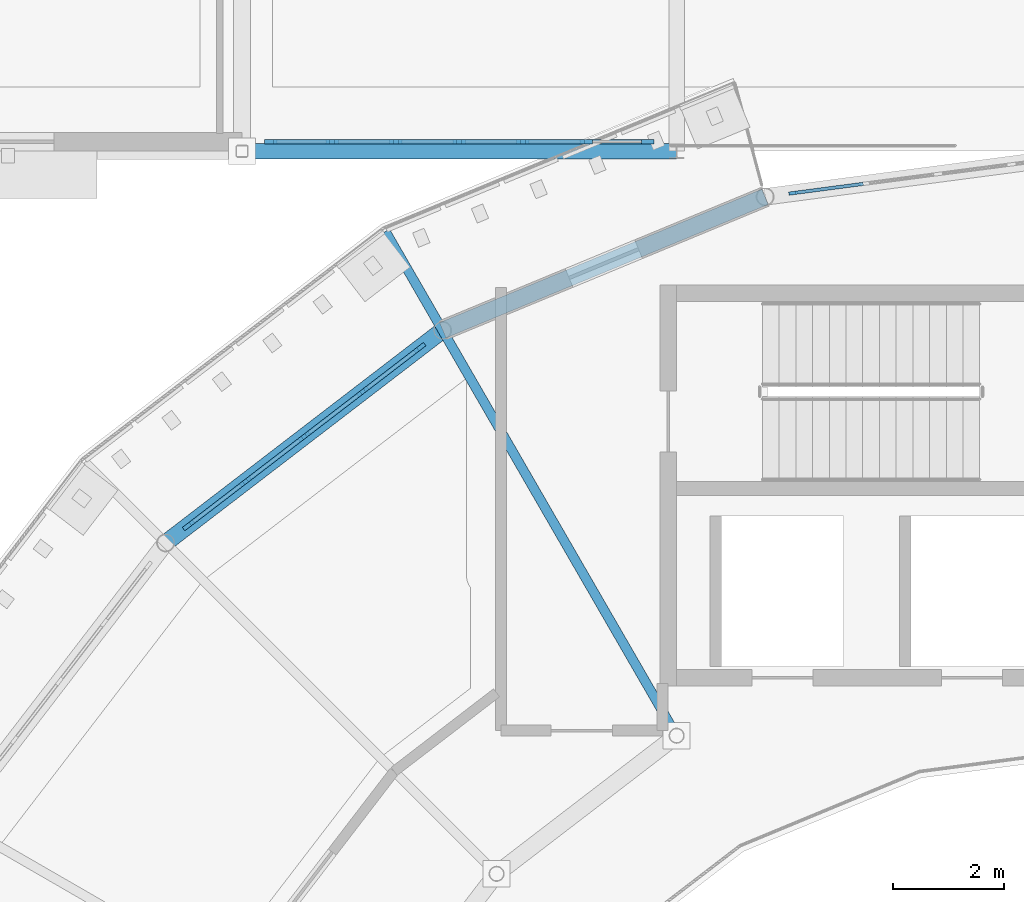
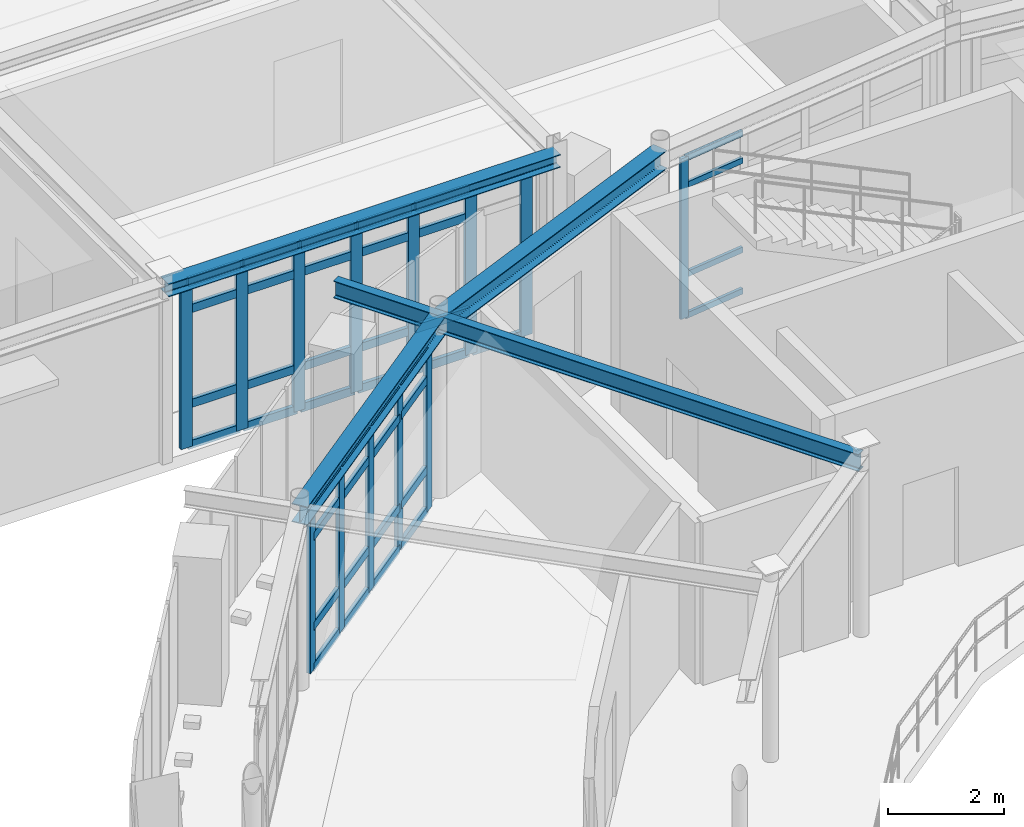
# One storey, part 33 of 70: 54 members, 4 beams, 3 elements without a shape of their own.
"""IFC4 building model written with IfcOpenShell, lengths in metres."""

from ifc_helpers import new_model, si_unit, derived_unit, direction, frame, origin, origin_2d, place, context, subcontext, project, spatial, rectangle, i_section, extrude, material, layer, layer_set, material_profile, profile_set, type_object, element, aggregate, save


model = new_model("IFC4")

# Units and contexts
model_context = context("Model", 3, precision=1e-05, world=origin(), true_north=direction((0.0, 1.0)))
body_context = subcontext(model_context, "Body", "Model", "MODEL_VIEW")
ifc_project = project(units=[si_unit("LENGTHUNIT", "METRE"), si_unit("AREAUNIT", "SQUARE_METRE"), si_unit("VOLUMEUNIT", "CUBIC_METRE"), si_unit("PLANEANGLEUNIT", "RADIAN"), si_unit("MASSUNIT", "GRAM", prefix="KILO"), derived_unit("THERMALTRANSMITTANCEUNIT", [(si_unit("POWERUNIT", "WATT"), 1), (si_unit("AREAUNIT", "SQUARE_METRE"), -1), (si_unit("THERMODYNAMICTEMPERATUREUNIT", "KELVIN"), -1)])], contexts=[model_context])

# Site, building, storey
site_placement = place(None, origin())
site = spatial("IfcSite", under=ifc_project, at=site_placement, CompositionType="ELEMENT")
building_placement = place(site_placement, origin())
building = spatial("IfcBuilding", under=site, at=building_placement, Name="Yasenodar Specialist Clinic", CompositionType="ELEMENT")
storey_placement = place(building_placement, frame((0.0, 0.0, 13.199951171875)))
storey = spatial("IfcBuildingStorey", under=building, at=storey_placement, Name="L03", CompositionType="ELEMENT", Elevation=13.199951171875)

# Beams
ifc_material_1 = material(Name="Steel S355", Category="steel")
ifc_material_profile_1 = material_profile(ifc_material_1, i_section(OverallWidth=0.280029296875, OverallDepth=0.27001953125, WebThickness=0.008056640625, FlangeThickness=0.012939453125, FilletRadius=0.02392578125, at=origin_2d()), Name="HEA 280")
ifc_profile_set_1 = profile_set([ifc_material_profile_1], Name="Steel S355")
beam_type_1 = type_object("IfcBeamType", Name="BM-HEA280", PredefinedType="BEAM", material=ifc_profile_set_1)
beam_1_placement = place(storey_placement, frame((65.39990234375, 82.800048828125, 3.655029296875), z_axis=(1.0, 0.0, 0.0), x_axis=(0.0, 1.0, 0.0)))
element("IfcBeam", 1, at=beam_1_placement, inside=storey, type_object=beam_type_1, Name="L03 Primary E-W Girder", PredefinedType="BEAM", context=body_context, shape_type="SweptSolid", body=[
    extrude(i_section(OverallWidth=0.280029296875, OverallDepth=0.27001953125, WebThickness=0.008056640625, FlangeThickness=0.012939453125, FilletRadius=0.02392578125, at=origin_2d()), origin(), (0.0, 0.0, 1.0), 7.800048828125),
])
ifc_material_profile_2 = material_profile(ifc_material_1, i_section(OverallWidth=0.300048828125, OverallDepth=0.389892578125, WebThickness=0.010986328125, FlangeThickness=0.01904296875, FilletRadius=0.027099609375, at=origin_2d()), Name="HEA 400")
ifc_profile_set_2 = profile_set([ifc_material_profile_2], Name="Steel S355")
beam_type_2 = type_object("IfcBeamType", Name="BM-HEA400", PredefinedType="BEAM", material=ifc_profile_set_2)
beam_2_placement = place(storey_placement, frame((74.788330078125, 81.982177734375, 3.60498046875), z_axis=(-0.9238876519, -0.382663829839, 0.0), x_axis=(0.382663829839, -0.9238876519, 0.0)))
element("IfcBeam", 2, at=beam_2_placement, inside=storey, type_object=beam_type_2, Name="L03 Drum V1 Perimeter Ring Beam", PredefinedType="BEAM", context=body_context, shape_type="SweptSolid", body=[
    extrude(i_section(OverallWidth=0.300048828125, OverallDepth=0.389892578125, WebThickness=0.010986328125, FlangeThickness=0.01904296875, FilletRadius=0.027099609375, at=origin_2d()), origin(), (0.0, 0.0, 1.0), 6.26513671875),
])
beam_3_placement = place(storey_placement, frame((69.0, 79.584716796875, 3.60498046875), z_axis=(-0.793349152542, -0.608766886551, 0.0), x_axis=(0.608766886551, -0.793349152542, 0.0)))
element("IfcBeam", 3, at=beam_3_placement, inside=storey, type_object=beam_type_2, Name="L03 Drum V1 Perimeter Ring Beam", PredefinedType="BEAM", context=body_context, shape_type="SweptSolid", body=[
    extrude(i_section(OverallWidth=0.300048828125, OverallDepth=0.389892578125, WebThickness=0.010986328125, FlangeThickness=0.01904296875, FilletRadius=0.027099609375, at=origin_2d()), origin(), (0.0, 0.0, 1.0), 6.265380859375),
])
ifc_material_profile_3 = material_profile(ifc_material_1, i_section(OverallWidth=0.169921875, OverallDepth=0.360107421875, WebThickness=0.008056640625, FlangeThickness=0.0126953125, FilletRadius=0.01806640625, at=origin_2d()), Name="IPE 360")
ifc_profile_set_3 = profile_set([ifc_material_profile_3], Name="Steel S355")
beam_type_3 = type_object("IfcBeamType", Name="BM-IPE360", PredefinedType="BEAM", material=ifc_profile_set_3)
beam_4_placement = place(storey_placement, frame((73.199951171875, 72.31005859375, 3.6201171875), z_axis=(-0.499986032603, 0.866033467715, 0.0), x_axis=(-0.866033467715, -0.499986032603, 0.0)))
element("IfcBeam", 4, at=beam_4_placement, inside=storey, type_object=beam_type_3, Name="L03 Drum V1 Radial Back-Spanned Cantilever Beam", PredefinedType="BEAM", context=body_context, shape_type="SweptSolid", body=[
    extrude(i_section(OverallWidth=0.169921875, OverallDepth=0.360107421875, WebThickness=0.008056640625, FlangeThickness=0.0126953125, FilletRadius=0.01806640625, at=origin_2d()), origin(), (0.0, 0.0, 1.0), 10.449951171875),
])

# Curtain wall, member
ifc_material_2 = material(Name="Bronze Anodized Aluminium and Triple Low-E Glass", Category="aluminium")
ifc_layer_1 = layer(ifc_material_2, 0.1669921875)
ifc_layer_set_1 = layer_set([ifc_layer_1], Name="Bronze Anodized Aluminium and Triple Low-E Glass")
curtain_wall_type_1 = type_object("IfcCurtainWallType", Name="CW-SYS-01", PredefinedType="USERDEFINED", material=ifc_layer_set_1)
curtain_wall_1_placement = place(storey_placement, origin())
curtain_wall_1 = element("IfcCurtainWall", 5, at=curtain_wall_1_placement, inside=storey, type_object=curtain_wall_type_1, Name="L03 Unitised Curtain Wall 044", ObjectType="UNITISED CURTAIN WALL", PredefinedType="USERDEFINED")
ifc_material_3 = material(Name="Bronze Anodized Aluminium", Category="aluminium")
ifc_material_profile_4 = material_profile(ifc_material_3, rectangle(XDim=0.06005859375, YDim=0.159912109375, at=origin_2d()), Name="CW-MULL 60x160")
ifc_profile_set_4 = profile_set([ifc_material_profile_4], Name="Bronze Anodized Aluminium")
member_type_1 = type_object("IfcMemberType", Name="CW-MULL-160", PredefinedType="MULLION", material=ifc_profile_set_4)
member_1_placement = place(storey_placement, frame((75.2939453125, 82.048828125, 0.0), z_axis=(0.0, 0.0, 1.0), x_axis=(-0.13051156024, 0.991446787601, 0.0)))
member_1 = element("IfcMember", 6, at=member_1_placement, type_object=member_type_1, Name="CW-01 mullion 1", PredefinedType="MULLION", context=body_context, shape_type="SweptSolid", body=[
    extrude(rectangle(XDim=0.06005859375, YDim=0.159912109375, at=origin_2d()), origin(), (0.0, 0.0, 1.0), 3.3779296875),
])

# Curtain wall, members
curtain_wall_2_placement = place(storey_placement, origin())
curtain_wall_2 = element("IfcCurtainWall", 7, at=curtain_wall_2_placement, inside=storey, type_object=curtain_wall_type_1, Name="L03 Unitised Curtain Wall 045", ObjectType="UNITISED CURTAIN WALL", PredefinedType="USERDEFINED")
ifc_material_profile_5 = material_profile(ifc_material_3, rectangle(XDim=0.074951171875, YDim=0.22509765625, at=origin_2d()), Name="CW-MULL 75x225")
ifc_profile_set_5 = profile_set([ifc_material_profile_5], Name="Bronze Anodized Aluminium")
member_type_2 = type_object("IfcMemberType", Name="CW-MULL-225", PredefinedType="MULLION", material=ifc_profile_set_5)
member_2_placement = place(storey_placement, frame((64.43994140625, 76.085693359375, 0.0), z_axis=(0.0, 0.0, 1.0), x_axis=(-0.608752021844, 0.793360558574, 0.0)))
member_2 = element("IfcMember", 8, at=member_2_placement, type_object=member_type_2, Name="CW-01 mullion 1", PredefinedType="MULLION", context=body_context, shape_type="SweptSolid", body=[
    extrude(rectangle(XDim=0.074951171875, YDim=0.22509765625, at=origin_2d()), origin(), (0.0, 0.0, 1.0), 3.387939453125),
])
member_3_placement = place(storey_placement, frame((65.46240234375, 76.8701171875, 0.0), z_axis=(0.0, 0.0, 1.0), x_axis=(-0.608752021844, 0.793360558574, 0.0)))
member_3 = element("IfcMember", 9, at=member_3_placement, type_object=member_type_2, Name="CW-01 mullion 2", PredefinedType="MULLION", context=body_context, shape_type="SweptSolid", body=[
    extrude(rectangle(XDim=0.074951171875, YDim=0.22509765625, at=origin_2d()), origin(), (0.0, 0.0, 1.0), 3.387939453125),
])
member_4_placement = place(storey_placement, frame((66.5146484375, 77.677490234375, 0.0), z_axis=(0.0, 0.0, 1.0), x_axis=(-0.608752021844, 0.793360558574, 0.0)))
member_4 = element("IfcMember", 10, at=member_4_placement, type_object=member_type_2, Name="CW-01 mullion 3", PredefinedType="MULLION", context=body_context, shape_type="SweptSolid", body=[
    extrude(rectangle(XDim=0.074951171875, YDim=0.22509765625, at=origin_2d()), origin(), (0.0, 0.0, 1.0), 3.387939453125),
])
member_5_placement = place(storey_placement, frame((67.56689453125, 78.485107421875, 0.0), z_axis=(0.0, 0.0, 1.0), x_axis=(-0.608752021844, 0.793360558574, 0.0)))
member_5 = element("IfcMember", 11, at=member_5_placement, type_object=member_type_2, Name="CW-01 mullion 4", PredefinedType="MULLION", context=body_context, shape_type="SweptSolid", body=[
    extrude(rectangle(XDim=0.074951171875, YDim=0.22509765625, at=origin_2d()), origin(), (0.0, 0.0, 1.0), 3.387939453125),
])
member_6_placement = place(storey_placement, frame((68.58935546875, 79.26953125, 0.0), z_axis=(0.0, 0.0, 1.0), x_axis=(-0.608752021844, 0.793360558574, 0.0)))
member_6 = element("IfcMember", 12, at=member_6_placement, type_object=member_type_2, Name="CW-01 mullion 5", PredefinedType="MULLION", context=body_context, shape_type="SweptSolid", body=[
    extrude(rectangle(XDim=0.074951171875, YDim=0.22509765625, at=origin_2d()), origin(), (0.0, 0.0, 1.0), 3.387939453125),
])

ifc_layer_2 = layer(ifc_material_2, 0.215087890625)
ifc_layer_set_2 = layer_set([ifc_layer_2], Name="Bronze Anodized Aluminium and Triple Low-E Glass")
curtain_wall_type_2 = type_object("IfcCurtainWallType", Name="CW-SYS-05", PredefinedType="USERDEFINED", material=ifc_layer_set_2)
curtain_wall_3_placement = place(storey_placement, origin())
curtain_wall_3 = element("IfcCurtainWall", 13, at=curtain_wall_3_placement, inside=storey, type_object=curtain_wall_type_2, Name="L03 Unitised Curtain Wall 160", ObjectType="UNITISED CURTAIN WALL", PredefinedType="USERDEFINED")
member_7_placement = place(storey_placement, frame((72.6826171875, 82.969970703125, 0.0), z_axis=(0.0, 0.0, 1.0), x_axis=(0.0, -1.0, 0.0)))
member_7 = element("IfcMember", 14, at=member_7_placement, type_object=member_type_2, Name="CW-05 mullion 1", PredefinedType="MULLION", context=body_context, shape_type="SweptSolid", body=[
    extrude(rectangle(XDim=0.074951171875, YDim=0.22509765625, at=origin_2d()), origin(), (0.0, 0.0, 1.0), 3.498046875),
])
member_8_placement = place(storey_placement, frame((71.580078125, 82.969970703125, 0.0), z_axis=(0.0, 0.0, 1.0), x_axis=(0.0, -1.0, 0.0)))
member_8 = element("IfcMember", 15, at=member_8_placement, type_object=member_type_2, Name="CW-05 mullion 2", PredefinedType="MULLION", context=body_context, shape_type="SweptSolid", body=[
    extrude(rectangle(XDim=0.074951171875, YDim=0.22509765625, at=origin_2d()), origin(), (0.0, 0.0, 1.0), 3.498046875),
])
member_9_placement = place(storey_placement, frame((70.43994140625, 82.969970703125, 0.0), z_axis=(0.0, 0.0, 1.0), x_axis=(0.0, -1.0, 0.0)))
member_9 = element("IfcMember", 16, at=member_9_placement, type_object=member_type_2, Name="CW-05 mullion 3", PredefinedType="MULLION", context=body_context, shape_type="SweptSolid", body=[
    extrude(rectangle(XDim=0.074951171875, YDim=0.22509765625, at=origin_2d()), origin(), (0.0, 0.0, 1.0), 3.498046875),
])
member_10_placement = place(storey_placement, frame((69.300048828125, 82.969970703125, 0.0), z_axis=(0.0, 0.0, 1.0), x_axis=(0.0, -1.0, 0.0)))
member_10 = element("IfcMember", 17, at=member_10_placement, type_object=member_type_2, Name="CW-05 mullion 4", PredefinedType="MULLION", context=body_context, shape_type="SweptSolid", body=[
    extrude(rectangle(XDim=0.074951171875, YDim=0.22509765625, at=origin_2d()), origin(), (0.0, 0.0, 1.0), 3.498046875),
])
member_11_placement = place(storey_placement, frame((68.159912109375, 82.969970703125, 0.0), z_axis=(0.0, 0.0, 1.0), x_axis=(0.0, -1.0, 0.0)))
member_11 = element("IfcMember", 18, at=member_11_placement, type_object=member_type_2, Name="CW-05 mullion 5", PredefinedType="MULLION", context=body_context, shape_type="SweptSolid", body=[
    extrude(rectangle(XDim=0.074951171875, YDim=0.22509765625, at=origin_2d()), origin(), (0.0, 0.0, 1.0), 3.498046875),
])
member_12_placement = place(storey_placement, frame((67.02001953125, 82.969970703125, 0.0), z_axis=(0.0, 0.0, 1.0), x_axis=(0.0, -1.0, 0.0)))
member_12 = element("IfcMember", 19, at=member_12_placement, type_object=member_type_2, Name="CW-05 mullion 6", PredefinedType="MULLION", context=body_context, shape_type="SweptSolid", body=[
    extrude(rectangle(XDim=0.074951171875, YDim=0.22509765625, at=origin_2d()), origin(), (0.0, 0.0, 1.0), 3.498046875),
])
member_13_placement = place(storey_placement, frame((65.91748046875, 82.969970703125, 0.0), z_axis=(0.0, 0.0, 1.0), x_axis=(0.0, -1.0, 0.0)))
member_13 = element("IfcMember", 20, at=member_13_placement, type_object=member_type_2, Name="CW-05 mullion 7", PredefinedType="MULLION", context=body_context, shape_type="SweptSolid", body=[
    extrude(rectangle(XDim=0.074951171875, YDim=0.22509765625, at=origin_2d()), origin(), (0.0, 0.0, 1.0), 3.498046875),
])

# Member
ifc_material_profile_6 = material_profile(ifc_material_3, rectangle(XDim=0.06005859375, YDim=0.1201171875, at=origin_2d()), Name="CW-TRAN 60x120")
ifc_profile_set_6 = profile_set([ifc_material_profile_6], Name="Bronze Anodized Aluminium")
member_type_3 = type_object("IfcMemberType", Name="CW-TRAN-120", PredefinedType="USERDEFINED", material=ifc_profile_set_6)
member_14_placement = place(storey_placement, frame((75.32373046875, 82.052734375, 0.030029296875), z_axis=(0.991442191305, 0.130546471803, 0.0), x_axis=(-0.130546471803, 0.991442191305, 0.0)))
member_14 = element("IfcMember", 21, at=member_14_placement, type_object=member_type_3, Name="CW-01 transom 1.1", ObjectType="TRANSOM", PredefinedType="USERDEFINED", context=body_context, shape_type="SweptSolid", body=[
    extrude(rectangle(XDim=0.06005859375, YDim=0.1201171875, at=origin_2d()), origin(), (0.0, 0.0, 1.0), 1.236083984375),
])

member_15_placement = place(storey_placement, frame((75.32373046875, 82.052734375, 0.900146484375), z_axis=(0.991442191305, 0.130546471803, 0.0), x_axis=(-0.130546471803, 0.991442191305, 0.0)))
member_15 = element("IfcMember", 22, at=member_15_placement, type_object=member_type_3, Name="CW-01 transom 1.2", ObjectType="TRANSOM", PredefinedType="USERDEFINED", context=body_context, shape_type="SweptSolid", body=[
    extrude(rectangle(XDim=0.06005859375, YDim=0.1201171875, at=origin_2d()), origin(), (0.0, 0.0, 1.0), 1.236083984375),
])

member_16_placement = place(storey_placement, frame((75.32373046875, 82.052734375, 2.778076171875), z_axis=(0.991442191305, 0.130546471803, 0.0), x_axis=(-0.130546471803, 0.991442191305, 0.0)))
member_16 = element("IfcMember", 23, at=member_16_placement, type_object=member_type_3, Name="CW-01 transom 1.3", ObjectType="TRANSOM", PredefinedType="USERDEFINED", context=body_context, shape_type="SweptSolid", body=[
    extrude(rectangle(XDim=0.06005859375, YDim=0.1201171875, at=origin_2d()), origin(), (0.0, 0.0, 1.0), 1.236083984375),
])

member_17_placement = place(storey_placement, frame((75.32373046875, 82.052734375, 3.34814453125), z_axis=(0.991442191305, 0.130546471803, 0.0), x_axis=(-0.130546471803, 0.991442191305, 0.0)))
member_17 = element("IfcMember", 24, at=member_17_placement, type_object=member_type_3, Name="CW-01 transom 1.4", ObjectType="TRANSOM", PredefinedType="USERDEFINED", context=body_context, shape_type="SweptSolid", body=[
    extrude(rectangle(XDim=0.06005859375, YDim=0.1201171875, at=origin_2d()), origin(), (0.0, 0.0, 1.0), 1.236083984375),
])

aggregate(curtain_wall_1, [member_1, member_14, member_15, member_16, member_17])

ifc_material_profile_7 = material_profile(ifc_material_3, rectangle(XDim=0.074951171875, YDim=0.175048828125, at=origin_2d()), Name="CW-TRAN 75x175")
ifc_profile_set_7 = profile_set([ifc_material_profile_7], Name="Bronze Anodized Aluminium")
member_type_4 = type_object("IfcMemberType", Name="CW-TRAN-175", PredefinedType="USERDEFINED", material=ifc_profile_set_7)
member_18_placement = place(storey_placement, frame((64.4697265625, 76.1083984375, 0.03759765625), z_axis=(0.793288992755, 0.608845279176, 0.0), x_axis=(-0.608845279176, 0.793288992755, 0.0)))
member_18 = element("IfcMember", 25, at=member_18_placement, type_object=member_type_4, Name="CW-01 transom 1.1", ObjectType="TRANSOM", PredefinedType="USERDEFINED", context=body_context, shape_type="SweptSolid", body=[
    extrude(rectangle(XDim=0.074951171875, YDim=0.175048828125, at=origin_2d()), origin(), (0.0, 0.0, 1.0), 1.2138671875),
])

member_19_placement = place(storey_placement, frame((64.4697265625, 76.1083984375, 0.900146484375), z_axis=(0.793288992755, 0.608845279176, 0.0), x_axis=(-0.608845279176, 0.793288992755, 0.0)))
member_19 = element("IfcMember", 26, at=member_19_placement, type_object=member_type_4, Name="CW-01 transom 1.2", ObjectType="TRANSOM", PredefinedType="USERDEFINED", context=body_context, shape_type="SweptSolid", body=[
    extrude(rectangle(XDim=0.074951171875, YDim=0.175048828125, at=origin_2d()), origin(), (0.0, 0.0, 1.0), 1.2138671875),
])

member_20_placement = place(storey_placement, frame((64.4697265625, 76.1083984375, 2.7880859375), z_axis=(0.793288992755, 0.608845279176, 0.0), x_axis=(-0.608845279176, 0.793288992755, 0.0)))
member_20 = element("IfcMember", 27, at=member_20_placement, type_object=member_type_4, Name="CW-01 transom 1.3", ObjectType="TRANSOM", PredefinedType="USERDEFINED", context=body_context, shape_type="SweptSolid", body=[
    extrude(rectangle(XDim=0.074951171875, YDim=0.175048828125, at=origin_2d()), origin(), (0.0, 0.0, 1.0), 1.2138671875),
])

member_21_placement = place(storey_placement, frame((64.4697265625, 76.1083984375, 3.3505859375), z_axis=(0.793288992755, 0.608845279176, 0.0), x_axis=(-0.608845279176, 0.793288992755, 0.0)))
member_21 = element("IfcMember", 28, at=member_21_placement, type_object=member_type_4, Name="CW-01 transom 1.4", ObjectType="TRANSOM", PredefinedType="USERDEFINED", context=body_context, shape_type="SweptSolid", body=[
    extrude(rectangle(XDim=0.074951171875, YDim=0.175048828125, at=origin_2d()), origin(), (0.0, 0.0, 1.0), 1.2138671875),
])

member_22_placement = place(storey_placement, frame((65.4921875, 76.89306640625, 0.03759765625), z_axis=(0.79334877301, 0.608767381159, 0.0), x_axis=(-0.608767381159, 0.79334877301, 0.0)))
member_22 = element("IfcMember", 29, at=member_22_placement, type_object=member_type_4, Name="CW-01 transom 2.1", ObjectType="TRANSOM", PredefinedType="USERDEFINED", context=body_context, shape_type="SweptSolid", body=[
    extrude(rectangle(XDim=0.074951171875, YDim=0.175048828125, at=origin_2d()), origin(), (0.0, 0.0, 1.0), 1.251220703125),
])

member_23_placement = place(storey_placement, frame((65.4921875, 76.89306640625, 0.900146484375), z_axis=(0.79334877301, 0.608767381159, 0.0), x_axis=(-0.608767381159, 0.79334877301, 0.0)))
member_23 = element("IfcMember", 30, at=member_23_placement, type_object=member_type_4, Name="CW-01 transom 2.2", ObjectType="TRANSOM", PredefinedType="USERDEFINED", context=body_context, shape_type="SweptSolid", body=[
    extrude(rectangle(XDim=0.074951171875, YDim=0.175048828125, at=origin_2d()), origin(), (0.0, 0.0, 1.0), 1.251220703125),
])

member_24_placement = place(storey_placement, frame((65.4921875, 76.89306640625, 2.7880859375), z_axis=(0.79334877301, 0.608767381159, 0.0), x_axis=(-0.608767381159, 0.79334877301, 0.0)))
member_24 = element("IfcMember", 31, at=member_24_placement, type_object=member_type_4, Name="CW-01 transom 2.3", ObjectType="TRANSOM", PredefinedType="USERDEFINED", context=body_context, shape_type="SweptSolid", body=[
    extrude(rectangle(XDim=0.074951171875, YDim=0.175048828125, at=origin_2d()), origin(), (0.0, 0.0, 1.0), 1.251220703125),
])

member_25_placement = place(storey_placement, frame((65.4921875, 76.89306640625, 3.3505859375), z_axis=(0.79334877301, 0.608767381159, 0.0), x_axis=(-0.608767381159, 0.79334877301, 0.0)))
member_25 = element("IfcMember", 32, at=member_25_placement, type_object=member_type_4, Name="CW-01 transom 2.4", ObjectType="TRANSOM", PredefinedType="USERDEFINED", context=body_context, shape_type="SweptSolid", body=[
    extrude(rectangle(XDim=0.074951171875, YDim=0.175048828125, at=origin_2d()), origin(), (0.0, 0.0, 1.0), 1.251220703125),
])

member_26_placement = place(storey_placement, frame((66.54443359375, 77.700439453125, 0.03759765625), z_axis=(0.79334877301, 0.608767381159, 0.0), x_axis=(-0.608767381159, 0.79334877301, 0.0)))
member_26 = element("IfcMember", 33, at=member_26_placement, type_object=member_type_4, Name="CW-01 transom 3.1", ObjectType="TRANSOM", PredefinedType="USERDEFINED", context=body_context, shape_type="SweptSolid", body=[
    extrude(rectangle(XDim=0.074951171875, YDim=0.175048828125, at=origin_2d()), origin(), (0.0, 0.0, 1.0), 1.251220703125),
])

member_27_placement = place(storey_placement, frame((66.54443359375, 77.700439453125, 0.900146484375), z_axis=(0.79334877301, 0.608767381159, 0.0), x_axis=(-0.608767381159, 0.79334877301, 0.0)))
member_27 = element("IfcMember", 34, at=member_27_placement, type_object=member_type_4, Name="CW-01 transom 3.2", ObjectType="TRANSOM", PredefinedType="USERDEFINED", context=body_context, shape_type="SweptSolid", body=[
    extrude(rectangle(XDim=0.074951171875, YDim=0.175048828125, at=origin_2d()), origin(), (0.0, 0.0, 1.0), 1.251220703125),
])

member_28_placement = place(storey_placement, frame((66.54443359375, 77.700439453125, 2.7880859375), z_axis=(0.79334877301, 0.608767381159, 0.0), x_axis=(-0.608767381159, 0.79334877301, 0.0)))
member_28 = element("IfcMember", 35, at=member_28_placement, type_object=member_type_4, Name="CW-01 transom 3.3", ObjectType="TRANSOM", PredefinedType="USERDEFINED", context=body_context, shape_type="SweptSolid", body=[
    extrude(rectangle(XDim=0.074951171875, YDim=0.175048828125, at=origin_2d()), origin(), (0.0, 0.0, 1.0), 1.251220703125),
])

member_29_placement = place(storey_placement, frame((66.54443359375, 77.700439453125, 3.3505859375), z_axis=(0.79334877301, 0.608767381159, 0.0), x_axis=(-0.608767381159, 0.79334877301, 0.0)))
member_29 = element("IfcMember", 36, at=member_29_placement, type_object=member_type_4, Name="CW-01 transom 3.4", ObjectType="TRANSOM", PredefinedType="USERDEFINED", context=body_context, shape_type="SweptSolid", body=[
    extrude(rectangle(XDim=0.074951171875, YDim=0.175048828125, at=origin_2d()), origin(), (0.0, 0.0, 1.0), 1.251220703125),
])

member_30_placement = place(storey_placement, frame((67.5966796875, 78.5078125, 0.03759765625), z_axis=(0.793363535343, 0.608748142328, 0.0), x_axis=(-0.608748142328, 0.793363535343, 0.0)))
member_30 = element("IfcMember", 37, at=member_30_placement, type_object=member_type_4, Name="CW-01 transom 4.1", ObjectType="TRANSOM", PredefinedType="USERDEFINED", context=body_context, shape_type="SweptSolid", body=[
    extrude(rectangle(XDim=0.074951171875, YDim=0.175048828125, at=origin_2d()), origin(), (0.0, 0.0, 1.0), 1.2138671875),
])

member_31_placement = place(storey_placement, frame((67.5966796875, 78.5078125, 0.900146484375), z_axis=(0.793363535343, 0.608748142328, 0.0), x_axis=(-0.608748142328, 0.793363535343, 0.0)))
member_31 = element("IfcMember", 38, at=member_31_placement, type_object=member_type_4, Name="CW-01 transom 4.2", ObjectType="TRANSOM", PredefinedType="USERDEFINED", context=body_context, shape_type="SweptSolid", body=[
    extrude(rectangle(XDim=0.074951171875, YDim=0.175048828125, at=origin_2d()), origin(), (0.0, 0.0, 1.0), 1.2138671875),
])

member_32_placement = place(storey_placement, frame((67.5966796875, 78.5078125, 2.7880859375), z_axis=(0.793363535343, 0.608748142328, 0.0), x_axis=(-0.608748142328, 0.793363535343, 0.0)))
member_32 = element("IfcMember", 39, at=member_32_placement, type_object=member_type_4, Name="CW-01 transom 4.3", ObjectType="TRANSOM", PredefinedType="USERDEFINED", context=body_context, shape_type="SweptSolid", body=[
    extrude(rectangle(XDim=0.074951171875, YDim=0.175048828125, at=origin_2d()), origin(), (0.0, 0.0, 1.0), 1.2138671875),
])

member_33_placement = place(storey_placement, frame((67.5966796875, 78.5078125, 3.3505859375), z_axis=(0.793363535343, 0.608748142328, 0.0), x_axis=(-0.608748142328, 0.793363535343, 0.0)))
member_33 = element("IfcMember", 40, at=member_33_placement, type_object=member_type_4, Name="CW-01 transom 4.4", ObjectType="TRANSOM", PredefinedType="USERDEFINED", context=body_context, shape_type="SweptSolid", body=[
    extrude(rectangle(XDim=0.074951171875, YDim=0.175048828125, at=origin_2d()), origin(), (0.0, 0.0, 1.0), 1.2138671875),
])

aggregate(curtain_wall_2, [member_2, member_3, member_4, member_5, member_6, member_18, member_19, member_20, member_21, member_22, member_23, member_24, member_25, member_26, member_27, member_28, member_29, member_30, member_31, member_32, member_33])

member_34_placement = place(storey_placement, frame((72.64501953125, 82.969970703125, 0.03759765625), z_axis=(-1.0, 0.0, 0.0), x_axis=(0.0, -1.0, 0.0)))
member_34 = element("IfcMember", 41, at=member_34_placement, type_object=member_type_4, Name="CW-05 transom 1.1", ObjectType="TRANSOM", PredefinedType="USERDEFINED", context=body_context, shape_type="SweptSolid", body=[
    extrude(rectangle(XDim=0.074951171875, YDim=0.175048828125, at=origin_2d()), origin(), (0.0, 0.0, 1.0), 1.027587890625),
])

member_35_placement = place(storey_placement, frame((71.54248046875, 82.969970703125, 0.03759765625), z_axis=(-1.0, 0.0, 0.0), x_axis=(0.0, -1.0, 0.0)))
member_35 = element("IfcMember", 42, at=member_35_placement, type_object=member_type_4, Name="CW-05 transom 2.1", ObjectType="TRANSOM", PredefinedType="USERDEFINED", context=body_context, shape_type="SweptSolid", body=[
    extrude(rectangle(XDim=0.074951171875, YDim=0.175048828125, at=origin_2d()), origin(), (0.0, 0.0, 1.0), 1.06494140625),
])

member_36_placement = place(storey_placement, frame((71.54248046875, 82.969970703125, 0.900146484375), z_axis=(-1.0, 0.0, 0.0), x_axis=(0.0, -1.0, 0.0)))
member_36 = element("IfcMember", 43, at=member_36_placement, type_object=member_type_4, Name="CW-05 transom 2.2", ObjectType="TRANSOM", PredefinedType="USERDEFINED", context=body_context, shape_type="SweptSolid", body=[
    extrude(rectangle(XDim=0.074951171875, YDim=0.175048828125, at=origin_2d()), origin(), (0.0, 0.0, 1.0), 1.06494140625),
])

member_37_placement = place(storey_placement, frame((71.54248046875, 82.969970703125, 2.89794921875), z_axis=(-1.0, 0.0, 0.0), x_axis=(0.0, -1.0, 0.0)))
member_37 = element("IfcMember", 44, at=member_37_placement, type_object=member_type_4, Name="CW-05 transom 2.3", ObjectType="TRANSOM", PredefinedType="USERDEFINED", context=body_context, shape_type="SweptSolid", body=[
    extrude(rectangle(XDim=0.074951171875, YDim=0.175048828125, at=origin_2d()), origin(), (0.0, 0.0, 1.0), 1.06494140625),
])

member_38_placement = place(storey_placement, frame((71.54248046875, 82.969970703125, 3.46044921875), z_axis=(-1.0, 0.0, 0.0), x_axis=(0.0, -1.0, 0.0)))
member_38 = element("IfcMember", 45, at=member_38_placement, type_object=member_type_4, Name="CW-05 transom 2.4", ObjectType="TRANSOM", PredefinedType="USERDEFINED", context=body_context, shape_type="SweptSolid", body=[
    extrude(rectangle(XDim=0.074951171875, YDim=0.175048828125, at=origin_2d()), origin(), (0.0, 0.0, 1.0), 1.06494140625),
])

member_39_placement = place(storey_placement, frame((70.402587890625, 82.969970703125, 0.03759765625), z_axis=(-1.0, 0.0, 0.0), x_axis=(0.0, -1.0, 0.0)))
member_39 = element("IfcMember", 46, at=member_39_placement, type_object=member_type_4, Name="CW-05 transom 3.1", ObjectType="TRANSOM", PredefinedType="USERDEFINED", context=body_context, shape_type="SweptSolid", body=[
    extrude(rectangle(XDim=0.074951171875, YDim=0.175048828125, at=origin_2d()), origin(), (0.0, 0.0, 1.0), 1.065185546875),
])

member_40_placement = place(storey_placement, frame((70.402587890625, 82.969970703125, 0.900146484375), z_axis=(-1.0, 0.0, 0.0), x_axis=(0.0, -1.0, 0.0)))
member_40 = element("IfcMember", 47, at=member_40_placement, type_object=member_type_4, Name="CW-05 transom 3.2", ObjectType="TRANSOM", PredefinedType="USERDEFINED", context=body_context, shape_type="SweptSolid", body=[
    extrude(rectangle(XDim=0.074951171875, YDim=0.175048828125, at=origin_2d()), origin(), (0.0, 0.0, 1.0), 1.065185546875),
])

member_41_placement = place(storey_placement, frame((70.402587890625, 82.969970703125, 2.89794921875), z_axis=(-1.0, 0.0, 0.0), x_axis=(0.0, -1.0, 0.0)))
member_41 = element("IfcMember", 48, at=member_41_placement, type_object=member_type_4, Name="CW-05 transom 3.3", ObjectType="TRANSOM", PredefinedType="USERDEFINED", context=body_context, shape_type="SweptSolid", body=[
    extrude(rectangle(XDim=0.074951171875, YDim=0.175048828125, at=origin_2d()), origin(), (0.0, 0.0, 1.0), 1.065185546875),
])

member_42_placement = place(storey_placement, frame((70.402587890625, 82.969970703125, 3.46044921875), z_axis=(-1.0, 0.0, 0.0), x_axis=(0.0, -1.0, 0.0)))
member_42 = element("IfcMember", 49, at=member_42_placement, type_object=member_type_4, Name="CW-05 transom 3.4", ObjectType="TRANSOM", PredefinedType="USERDEFINED", context=body_context, shape_type="SweptSolid", body=[
    extrude(rectangle(XDim=0.074951171875, YDim=0.175048828125, at=origin_2d()), origin(), (0.0, 0.0, 1.0), 1.065185546875),
])

member_43_placement = place(storey_placement, frame((69.262451171875, 82.969970703125, 0.03759765625), z_axis=(-1.0, 0.0, 0.0), x_axis=(0.0, -1.0, 0.0)))
member_43 = element("IfcMember", 50, at=member_43_placement, type_object=member_type_4, Name="CW-05 transom 4.1", ObjectType="TRANSOM", PredefinedType="USERDEFINED", context=body_context, shape_type="SweptSolid", body=[
    extrude(rectangle(XDim=0.074951171875, YDim=0.175048828125, at=origin_2d()), origin(), (0.0, 0.0, 1.0), 1.06494140625),
])

member_44_placement = place(storey_placement, frame((69.262451171875, 82.969970703125, 0.900146484375), z_axis=(-1.0, 0.0, 0.0), x_axis=(0.0, -1.0, 0.0)))
member_44 = element("IfcMember", 51, at=member_44_placement, type_object=member_type_4, Name="CW-05 transom 4.2", ObjectType="TRANSOM", PredefinedType="USERDEFINED", context=body_context, shape_type="SweptSolid", body=[
    extrude(rectangle(XDim=0.074951171875, YDim=0.175048828125, at=origin_2d()), origin(), (0.0, 0.0, 1.0), 1.06494140625),
])

member_45_placement = place(storey_placement, frame((69.262451171875, 82.969970703125, 2.89794921875), z_axis=(-1.0, 0.0, 0.0), x_axis=(0.0, -1.0, 0.0)))
member_45 = element("IfcMember", 52, at=member_45_placement, type_object=member_type_4, Name="CW-05 transom 4.3", ObjectType="TRANSOM", PredefinedType="USERDEFINED", context=body_context, shape_type="SweptSolid", body=[
    extrude(rectangle(XDim=0.074951171875, YDim=0.175048828125, at=origin_2d()), origin(), (0.0, 0.0, 1.0), 1.06494140625),
])

member_46_placement = place(storey_placement, frame((69.262451171875, 82.969970703125, 3.46044921875), z_axis=(-1.0, 0.0, 0.0), x_axis=(0.0, -1.0, 0.0)))
member_46 = element("IfcMember", 53, at=member_46_placement, type_object=member_type_4, Name="CW-05 transom 4.4", ObjectType="TRANSOM", PredefinedType="USERDEFINED", context=body_context, shape_type="SweptSolid", body=[
    extrude(rectangle(XDim=0.074951171875, YDim=0.175048828125, at=origin_2d()), origin(), (0.0, 0.0, 1.0), 1.06494140625),
])

member_47_placement = place(storey_placement, frame((68.12255859375, 82.969970703125, 0.03759765625), z_axis=(-1.0, 0.0, 0.0), x_axis=(0.0, -1.0, 0.0)))
member_47 = element("IfcMember", 54, at=member_47_placement, type_object=member_type_4, Name="CW-05 transom 5.1", ObjectType="TRANSOM", PredefinedType="USERDEFINED", context=body_context, shape_type="SweptSolid", body=[
    extrude(rectangle(XDim=0.074951171875, YDim=0.175048828125, at=origin_2d()), origin(), (0.0, 0.0, 1.0), 1.06494140625),
])

member_48_placement = place(storey_placement, frame((68.12255859375, 82.969970703125, 0.900146484375), z_axis=(-1.0, 0.0, 0.0), x_axis=(0.0, -1.0, 0.0)))
member_48 = element("IfcMember", 55, at=member_48_placement, type_object=member_type_4, Name="CW-05 transom 5.2", ObjectType="TRANSOM", PredefinedType="USERDEFINED", context=body_context, shape_type="SweptSolid", body=[
    extrude(rectangle(XDim=0.074951171875, YDim=0.175048828125, at=origin_2d()), origin(), (0.0, 0.0, 1.0), 1.06494140625),
])

member_49_placement = place(storey_placement, frame((68.12255859375, 82.969970703125, 2.89794921875), z_axis=(-1.0, 0.0, 0.0), x_axis=(0.0, -1.0, 0.0)))
member_49 = element("IfcMember", 56, at=member_49_placement, type_object=member_type_4, Name="CW-05 transom 5.3", ObjectType="TRANSOM", PredefinedType="USERDEFINED", context=body_context, shape_type="SweptSolid", body=[
    extrude(rectangle(XDim=0.074951171875, YDim=0.175048828125, at=origin_2d()), origin(), (0.0, 0.0, 1.0), 1.06494140625),
])

member_50_placement = place(storey_placement, frame((68.12255859375, 82.969970703125, 3.46044921875), z_axis=(-1.0, 0.0, 0.0), x_axis=(0.0, -1.0, 0.0)))
member_50 = element("IfcMember", 57, at=member_50_placement, type_object=member_type_4, Name="CW-05 transom 5.4", ObjectType="TRANSOM", PredefinedType="USERDEFINED", context=body_context, shape_type="SweptSolid", body=[
    extrude(rectangle(XDim=0.074951171875, YDim=0.175048828125, at=origin_2d()), origin(), (0.0, 0.0, 1.0), 1.06494140625),
])

member_51_placement = place(storey_placement, frame((66.982421875, 82.969970703125, 0.03759765625), z_axis=(-1.0, 0.0, 0.0), x_axis=(0.0, -1.0, 0.0)))
member_51 = element("IfcMember", 58, at=member_51_placement, type_object=member_type_4, Name="CW-05 transom 6.1", ObjectType="TRANSOM", PredefinedType="USERDEFINED", context=body_context, shape_type="SweptSolid", body=[
    extrude(rectangle(XDim=0.074951171875, YDim=0.175048828125, at=origin_2d()), origin(), (0.0, 0.0, 1.0), 1.02734375),
])

member_52_placement = place(storey_placement, frame((66.982421875, 82.969970703125, 0.900146484375), z_axis=(-1.0, 0.0, 0.0), x_axis=(0.0, -1.0, 0.0)))
member_52 = element("IfcMember", 59, at=member_52_placement, type_object=member_type_4, Name="CW-05 transom 6.2", ObjectType="TRANSOM", PredefinedType="USERDEFINED", context=body_context, shape_type="SweptSolid", body=[
    extrude(rectangle(XDim=0.074951171875, YDim=0.175048828125, at=origin_2d()), origin(), (0.0, 0.0, 1.0), 1.02734375),
])

member_53_placement = place(storey_placement, frame((66.982421875, 82.969970703125, 2.89794921875), z_axis=(-1.0, 0.0, 0.0), x_axis=(0.0, -1.0, 0.0)))
member_53 = element("IfcMember", 60, at=member_53_placement, type_object=member_type_4, Name="CW-05 transom 6.3", ObjectType="TRANSOM", PredefinedType="USERDEFINED", context=body_context, shape_type="SweptSolid", body=[
    extrude(rectangle(XDim=0.074951171875, YDim=0.175048828125, at=origin_2d()), origin(), (0.0, 0.0, 1.0), 1.02734375),
])

member_54_placement = place(storey_placement, frame((66.982421875, 82.969970703125, 3.46044921875), z_axis=(-1.0, 0.0, 0.0), x_axis=(0.0, -1.0, 0.0)))
member_54 = element("IfcMember", 61, at=member_54_placement, type_object=member_type_4, Name="CW-05 transom 6.4", ObjectType="TRANSOM", PredefinedType="USERDEFINED", context=body_context, shape_type="SweptSolid", body=[
    extrude(rectangle(XDim=0.074951171875, YDim=0.175048828125, at=origin_2d()), origin(), (0.0, 0.0, 1.0), 1.02734375),
])

aggregate(curtain_wall_3, [member_7, member_8, member_9, member_10, member_11, member_12, member_13, member_34, member_35, member_36, member_37, member_38, member_39, member_40, member_41, member_42, member_43, member_44, member_45, member_46, member_47, member_48, member_49, member_50, member_51, member_52, member_53, member_54])

save(model, "model.ifc")
